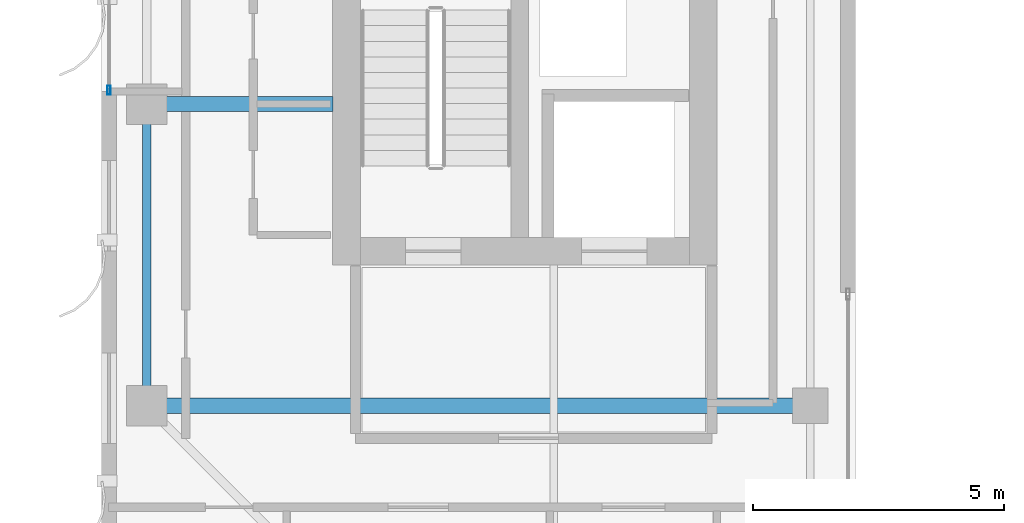
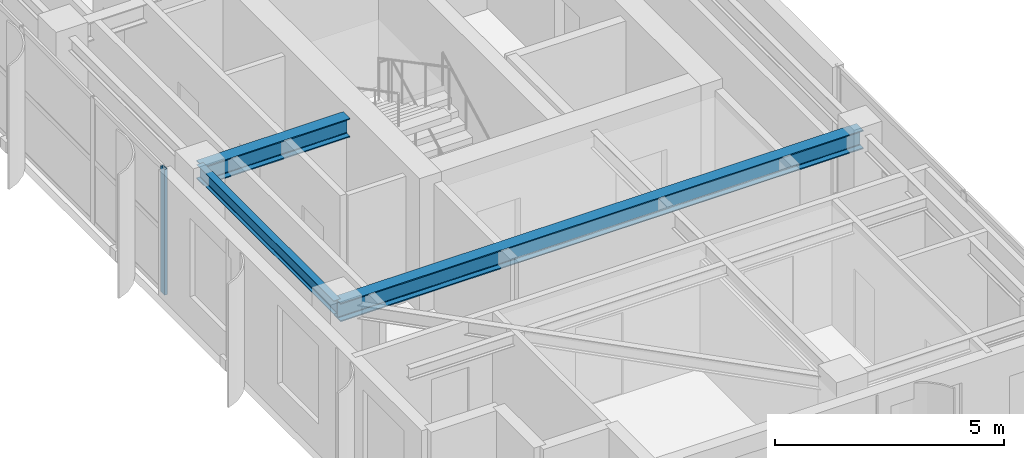
# One storey, part 3 of 24: 3 beams, 1 member, 1 element without a shape of its own.
"""IFC4 building model written with IfcOpenShell, lengths in metres."""

from ifc_helpers import new_model, si_unit, direction, frame, origin, origin_2d, place, context, subcontext, project, spatial, hollow_rectangle, i_section, extrude, source, transform, mapped, material, layer, layer_set, material_profile, profile_set, type_object, element, aggregate, save


model = new_model("IFC4")

# Units and contexts
model_context = context("Model", 3, precision=1e-05, world=origin(), true_north=direction((0.0, 1.0)))
body_context = subcontext(model_context, "Body", "Model", "MODEL_VIEW")
ifc_project = project(units=[si_unit("LENGTHUNIT", "METRE"), si_unit("AREAUNIT", "SQUARE_METRE"), si_unit("VOLUMEUNIT", "CUBIC_METRE"), si_unit("PLANEANGLEUNIT", "RADIAN"), si_unit("MASSUNIT", "GRAM", prefix="KILO")], contexts=[model_context])

# Site, building, storey
site_placement = place(None, origin())
site = spatial("IfcSite", under=ifc_project, at=site_placement, CompositionType="ELEMENT")
building_placement = place(site_placement, origin())
building = spatial("IfcBuilding", under=site, at=building_placement, Name="Khoralis Quay Care Tower", CompositionType="ELEMENT")
storey_placement = place(building_placement, frame((0.0, 0.0, 234.89990234375)))
storey = spatial("IfcBuildingStorey", under=building, at=storey_placement, Name="L61", CompositionType="ELEMENT", Elevation=234.89990234375)

# Beams
ifc_material_1 = material(Name="Steel S355", Category="steel")
ifc_material_profile_1 = material_profile(ifc_material_1, i_section(OverallWidth=0.169921875, OverallDepth=0.360107421875, WebThickness=0.008056640625, FlangeThickness=0.0126953125, FilletRadius=0.01806640625, at=origin_2d()), Name="Steel S355")
ifc_profile_set_1 = profile_set([ifc_material_profile_1], Name="Steel S355")
beam_type_1 = type_object("IfcBeamType", Name="BM-IPE360", PredefinedType="SPANDREL", material=ifc_profile_set_1)
shared_shape_1 = source(origin(), body_context, "Body", "SweptSolid", [
    extrude(i_section(OverallWidth=0.169921875, OverallDepth=0.360107421875, WebThickness=0.008056640625, FlangeThickness=0.0126953125, FilletRadius=0.01806640625, at=origin_2d()), origin(), (0.0, 0.0, 1.0), 6.0),
])
beam_1_placement = place(storey_placement, frame((3.89990234375, 12.0, 3.18017578125), z_axis=(0.0, 1.0, 0.0), x_axis=(-1.0, 0.0, 0.0)))
element("IfcBeam", 1, at=beam_1_placement, inside=storey, type_object=beam_type_1, Name="BM-TSP-L61-05", PredefinedType="SPANDREL", context=body_context, shape_type="MappedRepresentation", body=[
    mapped(shared_shape_1, transform((0.0, 0.0, 0.0), scale=1.0)),
])
ifc_material_profile_2 = material_profile(ifc_material_1, i_section(OverallWidth=0.300048828125, OverallDepth=0.5, WebThickness=0.014404296875, FlangeThickness=0.028076171875, FilletRadius=0.027099609375, at=origin_2d()), Name="Steel S355")
ifc_profile_set_2 = profile_set([ifc_material_profile_2], Name="Steel S355")
beam_type_2 = type_object("IfcBeamType", Name="BM-HEB500", PredefinedType="BEAM", material=ifc_profile_set_2)
shared_shape_2 = source(origin(), body_context, "Body", "SweptSolid", [
    extrude(i_section(OverallWidth=0.300048828125, OverallDepth=0.5, WebThickness=0.014404296875, FlangeThickness=0.028076171875, FilletRadius=0.027099609375, at=origin_2d()), origin(), (0.0, 0.0, 1.0), 13.2001953125),
])
beam_2_placement = place(storey_placement, frame((3.89990234375, 12.0, 3.110107421875), z_axis=(1.0, 0.0, 0.0), x_axis=(0.0, 1.0, 0.0)))
element("IfcBeam", 2, at=beam_2_placement, inside=storey, type_object=beam_type_2, Name="BM-TGXW-L61-120", PredefinedType="BEAM", context=body_context, shape_type="MappedRepresentation", body=[
    mapped(shared_shape_2, transform((0.0, 0.0, 0.0), scale=1.0)),
])
shared_shape_3 = source(origin(), body_context, "Body", "SweptSolid", [
    extrude(i_section(OverallWidth=0.300048828125, OverallDepth=0.5, WebThickness=0.014404296875, FlangeThickness=0.028076171875, FilletRadius=0.027099609375, at=origin_2d()), origin(), (0.0, 0.0, 1.0), 3.7021484375),
])
beam_3_placement = place(storey_placement, frame((3.89990234375, 18.0, 3.110107421875), z_axis=(1.0, 0.0, 0.0), x_axis=(0.0, 1.0, 0.0)))
element("IfcBeam", 3, at=beam_3_placement, inside=storey, type_object=beam_type_2, Name="BM-TGXW-L61-180", PredefinedType="BEAM", context=body_context, shape_type="MappedRepresentation", body=[
    mapped(shared_shape_3, transform((0.0, 0.0, 0.0), scale=1.0)),
])

# Curtain wall, member
ifc_material_2 = material(Name="Pale anodised aluminium", Category="aluminium")
ifc_layer = layer(ifc_material_2, 0.159912109375)
ifc_layer_set = layer_set([ifc_layer], Name="Pale anodised aluminium")
curtain_wall_type = type_object("IfcCurtainWallType", Name="CW-SYS-Z3", PredefinedType="NOTDEFINED", material=ifc_layer_set)
curtain_wall_placement = place(storey_placement, origin())
curtain_wall = element("IfcCurtainWall", 4, at=curtain_wall_placement, inside=storey, type_object=curtain_wall_type, Name="L61 Unitised Curtain Wall CW-L61-P1-E7", PredefinedType="NOTDEFINED")
ifc_material_profile_3 = material_profile(ifc_material_2, hollow_rectangle(XDim=0.06494140625, YDim=0.179931640625, WallThickness=0.00390625, at=origin_2d()), Name="Pale anodised aluminium")
ifc_profile_set_3 = profile_set([ifc_material_profile_3], Name="Pale anodised aluminium")
member_type = type_object("IfcMemberType", Name="CW-MUL-180", PredefinedType="MULLION", material=ifc_profile_set_3)
shared_shape_4 = source(origin(), body_context, "Body", "SweptSolid", [
    extrude(hollow_rectangle(XDim=0.06494140625, YDim=0.179931640625, WallThickness=0.00390625, at=origin_2d()), origin(), (0.0, 0.0, 1.0), 3.360107421875),
])
member_placement = place(storey_placement, frame((3.14990234375, 18.280029296875, 0.0), z_axis=(0.0, 0.0, 1.0), x_axis=(1.0, 0.0, 0.0)))
member = element("IfcMember", 5, at=member_placement, type_object=member_type, Name="CW3 mullion 4", PredefinedType="MULLION", context=body_context, shape_type="MappedRepresentation", body=[
    mapped(shared_shape_4, transform((0.0, 0.0, 0.0), scale=1.0)),
])
aggregate(curtain_wall, [member])

save(model, "model.ifc")
